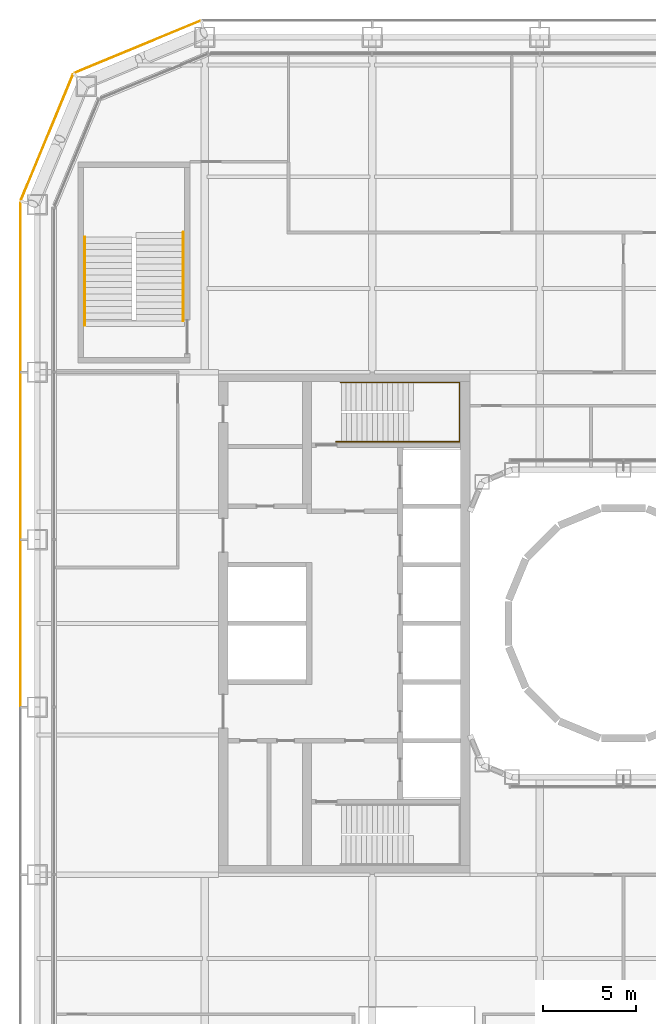
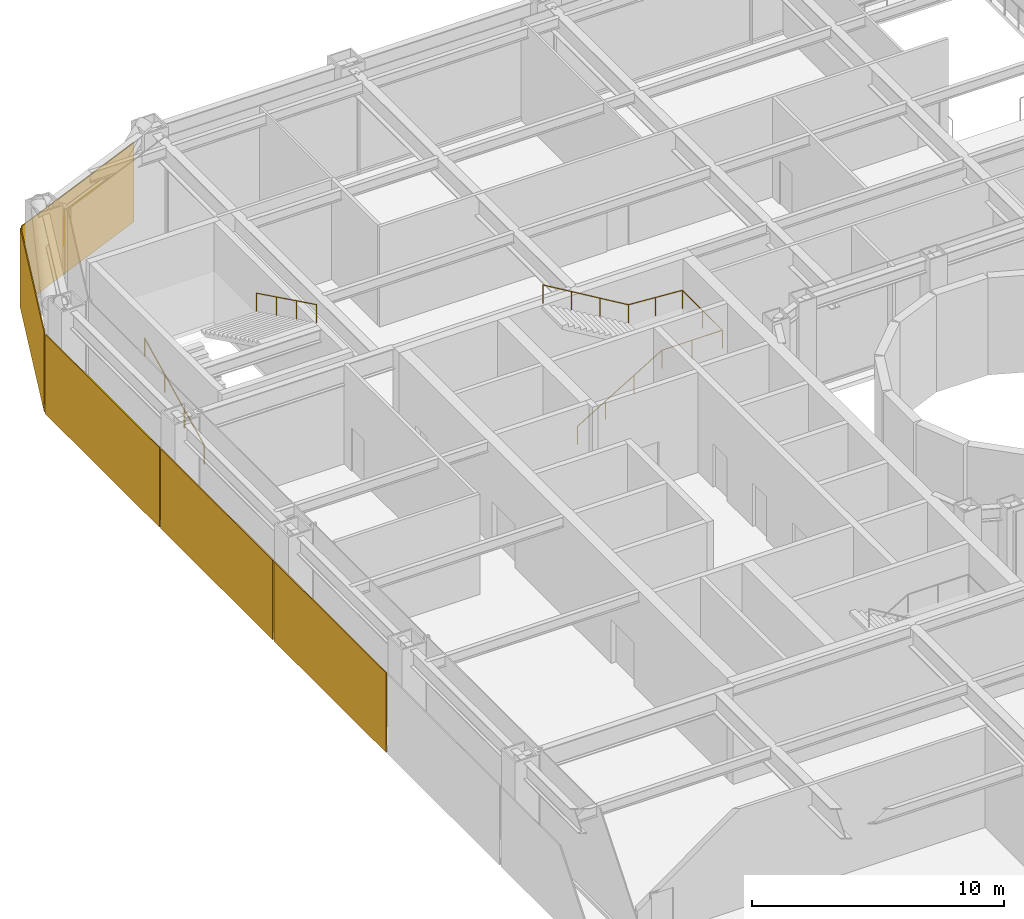
# One storey, part 22 of 24: 5 coverings, 3 railings.
"""IFC4 building model written with IfcOpenShell, lengths in metres."""

from ifc_helpers import new_model, si_unit, direction, frame, origin, origin_2d, place, context, subcontext, project, spatial, rectangle, circle, extrude, material, layer, layer_set, type_object, element, save


model = new_model("IFC4")

# Units and contexts
model_context = context("Model", 3, precision=1e-05, world=origin(), true_north=direction((0.0, 1.0)))
body_context = subcontext(model_context, "Body", "Model", "MODEL_VIEW")
ifc_project = project(units=[si_unit("LENGTHUNIT", "METRE"), si_unit("AREAUNIT", "SQUARE_METRE"), si_unit("VOLUMEUNIT", "CUBIC_METRE"), si_unit("PLANEANGLEUNIT", "RADIAN"), si_unit("MASSUNIT", "GRAM", prefix="KILO")], contexts=[model_context])

# Site, building, storey
site_placement = place(None, origin())
site = spatial("IfcSite", under=ifc_project, at=site_placement, CompositionType="ELEMENT")
building_placement = place(site_placement, origin())
building = spatial("IfcBuilding", under=site, at=building_placement, Name="Siwar Civic Tower", CompositionType="ELEMENT")
storey_placement = place(building_placement, frame((0.0, 0.0, 12.199951171875)))
storey = spatial("IfcBuildingStorey", under=building, at=storey_placement, Name="L02", CompositionType="ELEMENT", Elevation=12.199951171875)

# Railing
ifc_material_1 = material(Name="Stainless steel", Category="steel")
railing_type_1 = type_object("IfcRailingType", Name="CORE-STAIR-HANDRAIL", PredefinedType="HANDRAIL", material=ifc_material_1)
railing_1_placement = place(storey_placement, frame((-15.449951171875, 9.758056640625, 0.166748046875)))
element("IfcRailing", 1, at=railing_1_placement, inside=storey, type_object=railing_type_1, Name="Stair handrail ST1", PredefinedType="HANDRAIL", context=body_context, shape_type="SweptSolid", body=[
    extrude(circle(Radius=0.02001953125, at=origin_2d()), frame((0.0, 0.0, 0.8798828125), z_axis=(0.856384976194, 0.0, 0.516337847296), x_axis=(0.0, 1.0, 0.0)), (0.0, 0.0, 1.0), 4.518798828125),
    extrude(circle(Radius=0.02001953125, at=origin_2d()), frame((3.869873046875, 0.0, 3.213134765625), z_axis=(1.0, 0.0, 0.0), x_axis=(0.0, 1.0, 0.0)), (0.0, 0.0, 1.0), 2.77197265625),
    extrude(circle(Radius=0.02001953125, at=origin_2d()), frame((6.641845703125, 0.0, 3.213134765625), z_axis=(0.0, 1.0, 0.0), x_axis=(-1.0, 0.0, 0.0)), (0.0, 0.0, 1.0), 3.183837890625),
    extrude(circle(Radius=0.02001953125, at=origin_2d()), frame((6.641845703125, 3.183837890625, 3.213134765625), z_axis=(-0.997732526271, 0.0, 0.067303833624), x_axis=(0.0, -1.0, 0.0)), (0.0, 0.0, 1.0), 2.4775390625),
    extrude(circle(Radius=0.02001953125, at=origin_2d()), frame((4.169921875, 3.183837890625, 3.3798828125), z_axis=(-0.859296244711, 0.0, 0.511478214419), x_axis=(0.0, -1.0, 0.0)), (0.0, 0.0, 1.0), 4.561767578125),
    extrude(circle(Radius=0.02001953125, at=origin_2d()), origin(), (0.0, 0.0, 1.0), 0.85986328125),
    extrude(circle(Radius=0.02001953125, at=origin_2d()), frame((1.2900390625, 0.0, 0.77783203125)), (0.0, 0.0, 1.0), 0.85986328125),
    extrude(circle(Radius=0.02001953125, at=origin_2d()), frame((2.579833984375, 0.0, 1.555419921875)), (0.0, 0.0, 1.0), 0.85986328125),
    extrude(circle(Radius=0.02001953125, at=origin_2d()), frame((3.869873046875, 0.0, 2.333251953125)), (0.0, 0.0, 1.0), 0.85986328125),
    extrude(circle(Radius=0.02001953125, at=origin_2d()), frame((5.255859375, 0.0, 2.333251953125)), (0.0, 0.0, 1.0), 0.85986328125),
    extrude(circle(Radius=0.02001953125, at=origin_2d()), frame((6.641845703125, 0.0, 2.333251953125)), (0.0, 0.0, 1.0), 0.85986328125),
    extrude(circle(Radius=0.02001953125, at=origin_2d()), frame((6.641845703125, 1.591796875, 2.333251953125)), (0.0, 0.0, 1.0), 0.85986328125),
    extrude(circle(Radius=0.02001953125, at=origin_2d()), frame((6.641845703125, 3.183837890625, 2.333251953125)), (0.0, 0.0, 1.0), 0.85986328125),
    extrude(circle(Radius=0.02001953125, at=origin_2d()), frame((5.40576171875, 3.183837890625, 2.41650390625)), (0.0, 0.0, 1.0), 0.85986328125),
    extrude(circle(Radius=0.02001953125, at=origin_2d()), frame((4.169921875, 3.183837890625, 2.5)), (0.0, 0.0, 1.0), 0.85986328125),
    extrude(circle(Radius=0.02001953125, at=origin_2d()), frame((2.86328125, 3.183837890625, 3.27783203125)), (0.0, 0.0, 1.0), 0.85986328125),
    extrude(circle(Radius=0.02001953125, at=origin_2d()), frame((1.556640625, 3.183837890625, 4.055419921875)), (0.0, 0.0, 1.0), 0.85986328125),
    extrude(circle(Radius=0.02001953125, at=origin_2d()), frame((0.25, 3.183837890625, 4.833251953125)), (0.0, 0.0, 1.0), 0.85986328125),
])

# Coverings
ifc_material_2 = material(Name="Perforated aluminium cassette, pale metal", Category="aluminium")
ifc_layer_1 = layer(ifc_material_2, 0.0400390625)
ifc_layer_set_1 = layer_set([ifc_layer_1], Name="Perforated aluminium cassette, pale metal")
covering_type_1 = type_object("IfcCoveringType", Name="ENV-OUTER SKIN OS-1", PredefinedType="CLADDING", material=ifc_layer_set_1)
covering_1_placement = place(storey_placement, frame((-26.115966796875, 30.976318359375, -0.199951171875), z_axis=(0.0, 0.0, 1.0), x_axis=(-0.923879532511, -0.382683432365, 0.0)))
element("IfcCovering", 2, at=covering_1_placement, inside=storey, type_object=covering_type_1, Name="OUTER SKIN OS-1 NW1 1", PredefinedType="CLADDING", context=body_context, shape_type="SweptSolid", body=[
    extrude(rectangle(XDim=7.300048828125, YDim=0.0400390625, at=origin_2d()), origin(), (0.0, 0.0, 1.0), 3.85009765625),
])
ifc_material_3 = material(Name="Perforated aluminium cassette, pale metal", Category="aluminium")
ifc_layer_2 = layer(ifc_material_3, 0.044921875)
ifc_layer_set_2 = layer_set([ifc_layer_2], Name="Perforated aluminium cassette, pale metal")
covering_type_2 = type_object("IfcCoveringType", Name="ENV-OUTER SKIN OS-2", PredefinedType="CLADDING", material=ifc_layer_set_2)
covering_2_placement = place(storey_placement, frame((-30.976318359375, 26.115966796875, -0.199951171875), z_axis=(0.0, 0.0, 1.0), x_axis=(-0.382683432365, -0.923879532511, 0.0)))
element("IfcCovering", 3, at=covering_2_placement, inside=storey, type_object=covering_type_2, Name="OUTER SKIN OS-2 NW2 1", PredefinedType="CLADDING", context=body_context, shape_type="SweptSolid", body=[
    extrude(rectangle(XDim=7.300048828125, YDim=0.044921875, at=origin_2d()), origin(), (0.0, 0.0, 1.0), 3.85009765625),
])
ifc_material_4 = material(Name="Perforated aluminium cassette, pale metal", Category="aluminium")
ifc_layer_3 = layer(ifc_material_4, 0.050048828125)
ifc_layer_set_3 = layer_set([ifc_layer_3], Name="Perforated aluminium cassette, pale metal")
covering_type_3 = type_object("IfcCoveringType", Name="ENV-OUTER SKIN OS-3", PredefinedType="CLADDING", material=ifc_layer_set_3)
covering_3_placement = place(storey_placement, frame((-32.39990234375, 18.07958984375, -0.199951171875), z_axis=(0.0, 0.0, 1.0), x_axis=(0.0, -1.0, 0.0)))
element("IfcCovering", 4, at=covering_3_placement, inside=storey, type_object=covering_type_3, Name="OUTER SKIN OS-3 W 1", PredefinedType="CLADDING", context=body_context, shape_type="SweptSolid", body=[
    extrude(rectangle(XDim=9.05908203125, YDim=0.050048828125, at=origin_2d()), origin(), (0.0, 0.0, 1.0), 3.85009765625),
])
for number, where, z_axis, x_axis, name in (
    (5, (-32.39990234375, 9.0, -0.199951171875), (0.0, 0.0, 1.0), (0.0, -1.0, 0.0), "OUTER SKIN OS-3 W 2"),
    (6, (-32.39990234375, 0.0, -0.199951171875), (0.0, 0.0, 1.0), (0.0, -1.0, 0.0), "OUTER SKIN OS-3 W 3"),
):
    element("IfcCovering", number, at=place(storey_placement, frame(where, z_axis=z_axis, x_axis=x_axis)), inside=storey, type_object=covering_type_3, Name=name, PredefinedType="CLADDING", context=body_context, shape_type="SweptSolid", body=[
        extrude(rectangle(XDim=8.89990234375, YDim=0.050048828125, at=origin_2d()), origin(), (0.0, 0.0, 1.0), 3.85009765625),
    ])

# Railings
ifc_material_5 = material(Name="Stainless steel", Category="steel")
railing_type_2 = type_object("IfcRailingType", Name="GND-HANDRAIL", PredefinedType="HANDRAIL", material=ifc_material_5)
railing_2_placement = place(storey_placement, frame((-28.94189453125, 16.0, 0.166748046875)))
element("IfcRailing", 7, at=railing_2_placement, inside=storey, type_object=railing_type_2, Name="Stair handrail ST5", PredefinedType="HANDRAIL", context=body_context, shape_type="SweptSolid", body=[
    extrude(circle(Radius=0.02001953125, at=origin_2d()), frame((0.0, 0.0, 0.8798828125), z_axis=(0.0, 0.897927146867, 0.440144111535), x_axis=(-1.0, 0.0, 0.0)), (0.0, 0.0, 1.0), 5.301025390625),
    extrude(circle(Radius=0.02001953125, at=origin_2d()), origin(), (0.0, 0.0, 1.0), 0.85986328125),
    extrude(circle(Radius=0.02001953125, at=origin_2d()), frame((0.0, 1.586669921875, 0.77783203125)), (0.0, 0.0, 1.0), 0.85986328125),
    extrude(circle(Radius=0.02001953125, at=origin_2d()), frame((0.0, 3.17333984375, 1.555419921875)), (0.0, 0.0, 1.0), 0.85986328125),
    extrude(circle(Radius=0.02001953125, at=origin_2d()), frame((0.0, 4.760009765625, 2.333251953125)), (0.0, 0.0, 1.0), 0.85986328125),
])
railing_3_placement = place(storey_placement, frame((-23.657958984375, 21.010009765625, 2.666748046875)))
element("IfcRailing", 8, at=railing_3_placement, inside=storey, type_object=railing_type_2, Name="Stair handrail ST5", PredefinedType="HANDRAIL", context=body_context, shape_type="SweptSolid", body=[
    extrude(circle(Radius=0.02001953125, at=origin_2d()), frame((0.0, 0.0, 0.8798828125), z_axis=(0.0, -0.897927146867, 0.440144111535), x_axis=(1.0, 0.0, 0.0)), (0.0, 0.0, 1.0), 5.301025390625),
    extrude(circle(Radius=0.02001953125, at=origin_2d()), origin(), (0.0, 0.0, 1.0), 0.85986328125),
    extrude(circle(Radius=0.02001953125, at=origin_2d()), frame((0.0, -1.586669921875, 0.77783203125)), (0.0, 0.0, 1.0), 0.85986328125),
    extrude(circle(Radius=0.02001953125, at=origin_2d()), frame((0.0, -3.17333984375, 1.555419921875)), (0.0, 0.0, 1.0), 0.85986328125),
    extrude(circle(Radius=0.02001953125, at=origin_2d()), frame((0.0, -4.760009765625, 2.333251953125)), (0.0, 0.0, 1.0), 0.85986328125),
])

save(model, "model.ifc")
